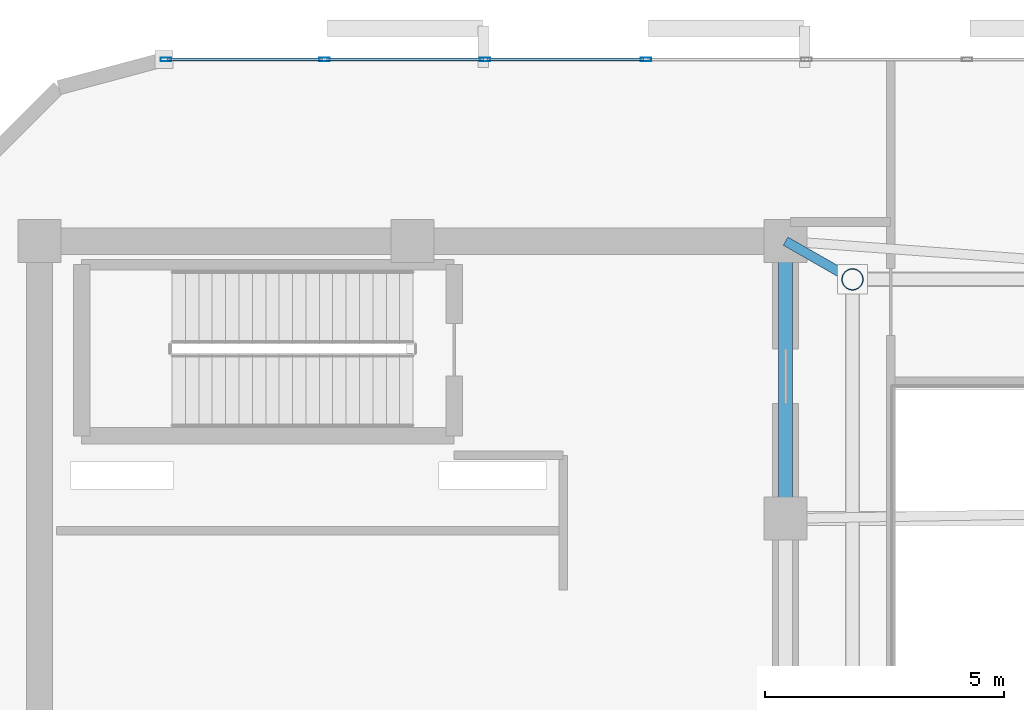
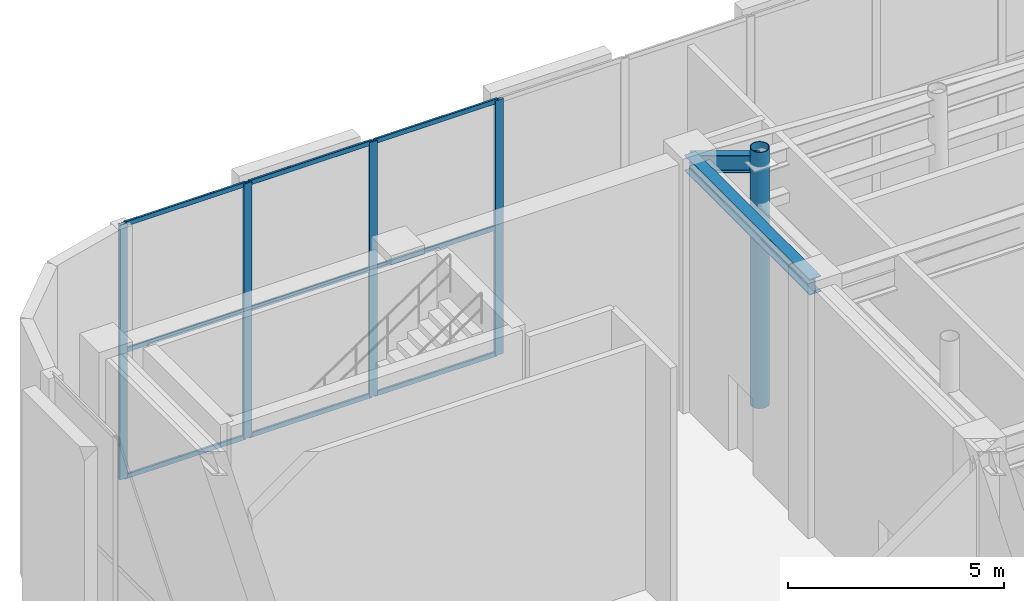
# One storey, part 8 of 20: 14 members, 2 beams, 1 element without a shape of its own.
"""IFC4 building model written with IfcOpenShell, lengths in metres."""

import ifcopenshell
import ifcopenshell.guid

model = None  # the IFC model being written
_history = None  # IfcOwnerHistory: only IFC2X3 demands one
_inside = {}  # id of a spatial element -> (the spatial element, [elements in it])
_under = {}  # id of a project, library or spatial element -> (it, [spatial elements below it])
_declared = {}  # id of a project -> (the project, [libraries it declares])
_typed = {}  # id of a type object -> (the type object, [elements of that type])
_made_of = {}  # id of a material, layer set ... -> (it, [elements and type objects made of it])


def new_model(schema):
    """Start an empty IFC model of exactly this schema.

    Asked for "IFC4X3", IfcOpenShell would pick the latest addendum, in which some entities
    have other attributes; the version numbers below select the first issue.
    IFC2X3 requires an IfcOwnerHistory on every rooted entity: one is made here for all.
    """
    global model, _history
    if schema == "IFC4X3":
        model = ifcopenshell.file(schema_version=(4, 3, 0, 0))
    else:
        model = ifcopenshell.file(schema=schema)
    _inside.clear()
    _under.clear()
    _declared.clear()
    _typed.clear()
    _made_of.clear()
    _history = None
    if model.schema == "IFC2X3":
        org = make("IfcOrganization", Name="unknown")
        user = make(
            "IfcPersonAndOrganization",
            ThePerson=make("IfcPerson", FamilyName="unknown"),
            TheOrganization=org,
        )
        app = make(
            "IfcApplication",
            ApplicationDeveloper=org,
            Version="unknown",
            ApplicationFullName="unknown",
            ApplicationIdentifier="unknown",
        )
        _history = make(
            "IfcOwnerHistory",
            OwningUser=user,
            OwningApplication=app,
            ChangeAction="ADDED",
            CreationDate=0,
        )
    return model


def make(cls, **values):
    """One entity of the class cls with the attributes given. An attribute that is None is left unset."""
    return model.create_entity(
        cls, **{name: value for name, value in values.items() if value is not None}
    )


def rooted(cls, **values):
    """An entity with a GlobalId (a new one), such as an element, a storey or a relation."""
    return make(cls, GlobalId=ifcopenshell.guid.new(), OwnerHistory=_history, **values)


def si_unit(unit_type, name, prefix=None):
    """IfcSIUnit, for example si_unit("LENGTHUNIT", "METRE", prefix="MILLI")."""
    return make("IfcSIUnit", UnitType=unit_type, Prefix=prefix, Name=name)


def assignment(units):
    """IfcUnitAssignment: the units of a project."""
    return None if units is None else make("IfcUnitAssignment", Units=units)


def point(xyz):
    """IfcCartesianPoint."""
    return None if xyz is None else make("IfcCartesianPoint", Coordinates=xyz)


def direction(xyz):
    """IfcDirection."""
    return None if xyz is None else make("IfcDirection", DirectionRatios=xyz)


def frame(location, z_axis=None, x_axis=None):
    """IfcAxis2Placement3D, a coordinate frame: its origin and axes. An axis left out is left unset."""
    return make(
        "IfcAxis2Placement3D",
        Location=point(location),
        Axis=direction(z_axis),
        RefDirection=direction(x_axis),
    )


def frame_2d(location, x_axis=None):
    """IfcAxis2Placement2D, a coordinate frame in the plane: its origin and x axis."""
    return make(
        "IfcAxis2Placement2D", Location=point(location), RefDirection=direction(x_axis)
    )


def origin():
    """The frame at (0, 0, 0) with its axes left unset."""
    return frame((0.0, 0.0, 0.0))


def origin_2d():
    """The frame at (0, 0) in the plane with its x axis left unset."""
    return frame_2d((0.0, 0.0))


def place(relative_to, where):
    """IfcLocalPlacement: puts the frame where relative to a parent placement (None: the world)."""
    return make(
        "IfcLocalPlacement", PlacementRelTo=relative_to, RelativePlacement=where
    )


def context(
    kind, dimensions, precision=None, world=None, true_north=None, identifier=None
):
    """IfcGeometricRepresentationContext, for example the 3D "Model" context."""
    return make(
        "IfcGeometricRepresentationContext",
        ContextIdentifier=identifier,
        ContextType=kind,
        CoordinateSpaceDimension=dimensions,
        Precision=precision,
        WorldCoordinateSystem=world,
        TrueNorth=true_north,
    )


def subcontext(parent, identifier, kind, view, scale=None):
    """IfcGeometricRepresentationSubContext, for example "Body" below "Model"."""
    return make(
        "IfcGeometricRepresentationSubContext",
        ContextIdentifier=identifier,
        ContextType=kind,
        ParentContext=parent,
        TargetScale=scale,
        TargetView=view,
    )


def project(units=None, contexts=None):
    """IfcProject with its units and contexts."""
    return rooted(
        "IfcProject",
        Name="project",
        RepresentationContexts=contexts,
        UnitsInContext=assignment(units),
    )


def spatial(cls, under=None, at=None, **own):
    """A site, building, storey or space (cls), placed at a placement, below another one or the project."""
    s = rooted(cls, ObjectPlacement=at, **own)
    if under is not None:
        _under.setdefault(under.id(), (under, []))[1].append(s)
    return s


def profile(cls, at=None, kind="AREA", **sizes):
    """A parametric profile (cls). Its sizes go by their IFC names, for example OverallWidth=200.0."""
    return make(cls, ProfileType=kind, Position=at, **sizes)


def hollow_rectangle(**sizes):
    """IfcRectangleHollowProfileDef."""
    return profile("IfcRectangleHollowProfileDef", **sizes)


def hollow_circle(**sizes):
    """IfcCircleHollowProfileDef."""
    return profile("IfcCircleHollowProfileDef", **sizes)


def i_section(**sizes):
    """IfcIShapeProfileDef."""
    return profile("IfcIShapeProfileDef", **sizes)


def extrude(swept, where, along, depth):
    """IfcExtrudedAreaSolid: the profile swept, set in the frame where, extruded along a direction by depth."""
    return make(
        "IfcExtrudedAreaSolid",
        SweptArea=swept,
        Position=where,
        ExtrudedDirection=direction(along),
        Depth=depth,
    )


def shape(context_of_items, identifier, shape_type, items):
    """IfcShapeRepresentation: the items that make up one representation, for example the "Body"."""
    return make(
        "IfcShapeRepresentation",
        ContextOfItems=context_of_items,
        RepresentationIdentifier=identifier,
        RepresentationType=shape_type,
        Items=items,
    )


def material(Name=None, Category=None):
    """IfcMaterial."""
    return make("IfcMaterial", Name=Name, Category=Category)


def layer(
    of_material, thickness, ventilated=None, Name=None, Category=None, Priority=None
):
    """IfcMaterialLayer: one layer of a wall or slab, of a material (None: an air gap)."""
    return make(
        "IfcMaterialLayer",
        Material=of_material,
        LayerThickness=thickness,
        IsVentilated=ventilated,
        Name=Name,
        Category=Category,
        Priority=Priority,
    )


def layer_set(layers, Name=None):
    """IfcMaterialLayerSet."""
    return make("IfcMaterialLayerSet", MaterialLayers=layers, LayerSetName=Name)


def material_profile(
    of_material, cross_section, Name=None, Category=None, Priority=None
):
    """IfcMaterialProfile: a cross section and its material."""
    return make(
        "IfcMaterialProfile",
        Name=Name,
        Material=of_material,
        Profile=cross_section,
        Priority=Priority,
        Category=Category,
    )


def profile_set(profiles, Name=None, composite=None):
    """IfcMaterialProfileSet."""
    return make(
        "IfcMaterialProfileSet",
        Name=Name,
        MaterialProfiles=profiles,
        CompositeProfile=composite,
    )


def made_of(thing, what):
    """Note that an element or type object is made of a material, layer set ...; save() writes the relation."""
    if what is not None:
        _made_of.setdefault(what.id(), (what, []))[1].append(thing)
    return thing


def type_object(cls, material=None, **own):
    """A type object (cls), such as IfcWallType, which elements share."""
    return made_of(rooted(cls, **own), material)


def element(
    cls,
    number,
    at=None,
    inside=None,
    cuts=None,
    type_object=None,
    material=None,
    context=None,
    identifier="Body",
    shape_type=None,
    held_by="IfcProductDefinitionShape",
    body=None,
    shapes=None,
    **own,
):
    """One element of the class cls, such as IfcWall. Its Tag is "e" and its number.

    at: its placement. inside: the storey or other place that contains it. cuts: it is an
    opening in that element (IfcRelVoidsElement). A single representation is given by context,
    identifier, shape_type and body (its items); several are given by shapes. held_by: the class
    of the entity that holds the representations. save() writes the other relations.
    """
    e = rooted(cls, Tag="e%d" % number, ObjectPlacement=at, **own)
    if body is not None:
        shapes = [shape(context, identifier, shape_type, body)]
    if shapes is not None:
        e.Representation = make(held_by, Representations=shapes)
    if inside is not None:
        _inside.setdefault(inside.id(), (inside, []))[1].append(e)
    if cuts is not None:
        rooted(
            "IfcRelVoidsElement", RelatingBuildingElement=cuts, RelatedOpeningElement=e
        )
    if type_object is not None:
        _typed.setdefault(type_object.id(), (type_object, []))[1].append(e)
    return made_of(e, material)


def aggregate(whole, parts):
    """IfcRelAggregates: a whole, such as a stair, and the parts it consists of."""
    return rooted("IfcRelAggregates", RelatingObject=whole, RelatedObjects=parts)


def save(model, path):
    """Write the relations noted so far, then the file.

    IfcRelAggregates (storeys below a building ...), IfcRelContainedInSpatialStructure (elements
    in a storey), IfcRelDefinesByType, IfcRelAssociatesMaterial and IfcRelDeclares: one each for
    every whole, place, type object, material and project.
    """
    for whole, parts in _under.values():
        aggregate(whole, parts)
    for where, things in _inside.values():
        rooted(
            "IfcRelContainedInSpatialStructure",
            RelatedElements=things,
            RelatingStructure=where,
        )
    for kind, things in _typed.values():
        rooted("IfcRelDefinesByType", RelatedObjects=things, RelatingType=kind)
    for what, things in _made_of.values():
        rooted("IfcRelAssociatesMaterial", RelatedObjects=things, RelatingMaterial=what)
    for by, libraries in _declared.values():
        rooted("IfcRelDeclares", RelatingContext=by, RelatedDefinitions=libraries)
    model.write(path)


model = new_model("IFC4")

# Units and contexts
model_context = context("Model", 3, precision=1e-05, world=origin(), true_north=direction((0.0, 1.0)))
body_context = subcontext(model_context, "Body", "Model", "MODEL_VIEW")
ifc_project = project(units=[si_unit("LENGTHUNIT", "METRE"), si_unit("AREAUNIT", "SQUARE_METRE"), si_unit("VOLUMEUNIT", "CUBIC_METRE"), si_unit("PLANEANGLEUNIT", "RADIAN"), si_unit("MASSUNIT", "GRAM", prefix="KILO")], contexts=[model_context])

# Site, building, storey
site_placement = place(None, origin())
site = spatial("IfcSite", under=ifc_project, at=site_placement, CompositionType="ELEMENT")
building_placement = place(site_placement, origin())
building = spatial("IfcBuilding", under=site, at=building_placement, Name="An Khanh Terracotta Commons", CompositionType="ELEMENT")
storey_placement = place(building_placement, frame((0.0, 0.0, 308.0)))
storey = spatial("IfcBuildingStorey", under=building, at=storey_placement, Name="L79 Crown Damper Gallery", CompositionType="ELEMENT", Elevation=308.0)

# Beams
ifc_material_1 = material(Name="Steel S355J2", Category="steel")
ifc_material_profile_1 = material_profile(ifc_material_1, i_section(OverallWidth=0.300048828125, OverallDepth=0.449951171875, WebThickness=0.013916015625, FlangeThickness=0.02587890625, FilletRadius=0.027099609375, at=origin_2d()), Name="HEB450")
ifc_profile_set_1 = profile_set([ifc_material_profile_1], Name="Steel S355J2")
beam_type_1 = type_object("IfcBeamType", Name="BM-HEB450", PredefinedType="BEAM", material=ifc_profile_set_1)
beam_1_placement = place(storey_placement, frame((37.199951171875, 27.800048828125, 6.72509765625), z_axis=(0.0, 1.0, 0.0), x_axis=(-1.0, 0.0, 0.0)))
element("IfcBeam", 1, at=beam_1_placement, inside=storey, type_object=beam_type_1, Name="L79 Crown Damper Gallery Core East Coupling Girder 3", PredefinedType="BEAM", context=body_context, shape_type="SweptSolid", body=[
    extrude(i_section(OverallWidth=0.300048828125, OverallDepth=0.449951171875, WebThickness=0.013916015625, FlangeThickness=0.02587890625, FilletRadius=0.027099609375, at=origin_2d()), origin(), (0.0, 0.0, 1.0), 5.800048828125),
])
ifc_material_profile_2 = material_profile(ifc_material_1, i_section(OverallWidth=0.199951171875, OverallDepth=0.5, WebThickness=0.01025390625, FlangeThickness=0.01611328125, FilletRadius=0.02099609375, at=origin_2d()), Name="IPE500")
ifc_profile_set_2 = profile_set([ifc_material_profile_2], Name="Steel S355J2")
beam_type_2 = type_object("IfcBeamType", Name="BM-IPE500", PredefinedType="BEAM", material=ifc_profile_set_2)
beam_2_placement = place(storey_placement, frame((37.199951171875, 33.60009765625, 6.699951171875), z_axis=(0.86825245861, -0.496122634152, 0.0), x_axis=(0.496122634152, 0.86825245861, 0.0)))
element("IfcBeam", 2, at=beam_2_placement, inside=storey, type_object=beam_type_2, Name="L79 Crown Damper Gallery Crown Radial Tie Beam 6", PredefinedType="BEAM", context=body_context, shape_type="SweptSolid", body=[
    extrude(i_section(OverallWidth=0.199951171875, OverallDepth=0.5, WebThickness=0.01025390625, FlangeThickness=0.01611328125, FilletRadius=0.02099609375, at=origin_2d()), origin(), (0.0, 0.0, 1.0), 1.612548828125),
])

# Member
ifc_material_2 = material(Name="Steel S460ML", Category="steel")
ifc_material_profile_3 = material_profile(ifc_material_2, hollow_circle(Radius=0.228515625, WallThickness=0.02001953125, at=origin_2d()), Name="CHS457x20")
ifc_profile_set_3 = profile_set([ifc_material_profile_3], Name="Steel S460ML")
member_type_1 = type_object("IfcMemberType", Name="CROWN FRAME RIB CHS457", PredefinedType="STRUT", material=ifc_profile_set_3)
member_1_placement = place(storey_placement, frame((38.60009765625, 32.800048828125, -0.1201171875), z_axis=(0.0, 0.0, 1.0), x_axis=(1.0, 0.0, 0.0)))
element("IfcMember", 3, at=member_1_placement, inside=storey, type_object=member_type_1, Name="L79 Crown Damper Gallery CROWN FRAME Corner Raking Rib 6", PredefinedType="STRUT", context=body_context, shape_type="SweptSolid", body=[
    extrude(hollow_circle(Radius=0.228515625, WallThickness=0.02001953125, at=origin_2d()), origin(), (0.0, 0.0, 1.0), 7.240234375),
])

# Curtain wall, members
ifc_material_3 = material(Name="Anodised Aluminium 6063-T6", Category="aluminium")
ifc_layer = layer(ifc_material_3, 0.25, Name="Anodised Aluminium 6063-T6")
ifc_layer_set = layer_set([ifc_layer], Name="Anodised Aluminium 6063-T6")
curtain_wall_type = type_object("IfcCurtainWallType", Name="CW-SYS-05", PredefinedType="USERDEFINED", material=ifc_layer_set)
curtain_wall_placement = place(storey_placement, origin())
curtain_wall = element("IfcCurtainWall", 4, at=curtain_wall_placement, inside=storey, type_object=curtain_wall_type, Name="L79 Crown Damper Gallery CW-05 Unitised Curtain Wall CW-L79-20", ObjectType="UNITISED CURTAIN WALL", PredefinedType="USERDEFINED")
ifc_material_profile_4 = material_profile(ifc_material_3, hollow_rectangle(XDim=0.080078125, YDim=0.219970703125, WallThickness=0.0048828125, InnerFilletRadius=0.0048828125, OuterFilletRadius=0.010009765625, at=origin_2d()), Name="RHS220x80x5")
ifc_profile_set_4 = profile_set([ifc_material_profile_4], Name="Anodised Aluminium 6063-T6")
member_type_2 = type_object("IfcMemberType", Name="CWM-RHS220x80x5", PredefinedType="MULLION", material=ifc_profile_set_4)
member_2_placement = place(storey_placement, frame((34.2783203125, 37.39990234375, 0.0), z_axis=(0.0, 0.0, 1.0), x_axis=(0.0, -1.0, 0.0)))
member_2 = element("IfcMember", 5, at=member_2_placement, type_object=member_type_2, Name="CW-05 mullion 8", PredefinedType="MULLION", context=body_context, shape_type="SweptSolid", body=[
    extrude(hollow_rectangle(XDim=0.080078125, YDim=0.219970703125, WallThickness=0.0048828125, InnerFilletRadius=0.0048828125, OuterFilletRadius=0.010009765625, at=origin_2d()), origin(), (0.0, 0.0, 1.0), 7.199951171875),
])
member_3_placement = place(storey_placement, frame((30.918701171875, 37.39990234375, 0.0), z_axis=(0.0, 0.0, 1.0), x_axis=(0.0, -1.0, 0.0)))
member_3 = element("IfcMember", 6, at=member_3_placement, type_object=member_type_2, Name="CW-05 mullion 9", PredefinedType="MULLION", context=body_context, shape_type="SweptSolid", body=[
    extrude(hollow_rectangle(XDim=0.080078125, YDim=0.219970703125, WallThickness=0.0048828125, InnerFilletRadius=0.0048828125, OuterFilletRadius=0.010009765625, at=origin_2d()), origin(), (0.0, 0.0, 1.0), 7.199951171875),
])
member_4_placement = place(storey_placement, frame((27.559326171875, 37.39990234375, 0.0), z_axis=(0.0, 0.0, 1.0), x_axis=(0.0, -1.0, 0.0)))
member_4 = element("IfcMember", 7, at=member_4_placement, type_object=member_type_2, Name="CW-05 mullion 10", PredefinedType="MULLION", context=body_context, shape_type="SweptSolid", body=[
    extrude(hollow_rectangle(XDim=0.080078125, YDim=0.219970703125, WallThickness=0.0048828125, InnerFilletRadius=0.0048828125, OuterFilletRadius=0.010009765625, at=origin_2d()), origin(), (0.0, 0.0, 1.0), 7.199951171875),
])
member_5_placement = place(storey_placement, frame((24.239990234375, 37.39990234375, 0.0), z_axis=(0.0, 0.0, 1.0), x_axis=(0.0, -1.0, 0.0)))
member_5 = element("IfcMember", 8, at=member_5_placement, type_object=member_type_2, Name="CW-05 mullion 11", PredefinedType="MULLION", context=body_context, shape_type="SweptSolid", body=[
    extrude(hollow_rectangle(XDim=0.080078125, YDim=0.219970703125, WallThickness=0.0048828125, InnerFilletRadius=0.0048828125, OuterFilletRadius=0.010009765625, at=origin_2d()), origin(), (0.0, 0.0, 1.0), 7.199951171875),
])
ifc_material_profile_5 = material_profile(ifc_material_3, hollow_rectangle(XDim=0.06005859375, YDim=0.135009765625, WallThickness=0.003662109375, InnerFilletRadius=0.003662109375, OuterFilletRadius=0.007080078125, at=origin_2d()), Name="RHS135x60x3.6")
ifc_profile_set_5 = profile_set([ifc_material_profile_5], Name="Anodised Aluminium 6063-T6")
member_type_3 = type_object("IfcMemberType", Name="CWT-RHS135x60x3.6", PredefinedType="USERDEFINED", material=ifc_profile_set_5)
member_6_placement = place(storey_placement, frame((34.23828125, 37.39990234375, 0.030029296875), z_axis=(-1.0, 0.0, 0.0), x_axis=(0.0, -1.0, 0.0)))
member_6 = element("IfcMember", 9, at=member_6_placement, type_object=member_type_3, Name="CW-05 transom 8.1", ObjectType="TRANSOM", PredefinedType="USERDEFINED", context=body_context, shape_type="SweptSolid", body=[
    extrude(hollow_rectangle(XDim=0.06005859375, YDim=0.135009765625, WallThickness=0.003662109375, InnerFilletRadius=0.003662109375, OuterFilletRadius=0.007080078125, at=origin_2d()), origin(), (0.0, 0.0, 1.0), 3.279541015625),
])
member_7_placement = place(storey_placement, frame((34.23828125, 37.39990234375, 3.60009765625), z_axis=(-1.0, 0.0, 0.0), x_axis=(0.0, -1.0, 0.0)))
member_7 = element("IfcMember", 10, at=member_7_placement, type_object=member_type_3, Name="CW-05 transom 8.2", ObjectType="TRANSOM", PredefinedType="USERDEFINED", context=body_context, shape_type="SweptSolid", body=[
    extrude(hollow_rectangle(XDim=0.06005859375, YDim=0.135009765625, WallThickness=0.003662109375, InnerFilletRadius=0.003662109375, OuterFilletRadius=0.007080078125, at=origin_2d()), origin(), (0.0, 0.0, 1.0), 3.279541015625),
])
member_8_placement = place(storey_placement, frame((34.23828125, 37.39990234375, 7.169921875), z_axis=(-1.0, 0.0, 0.0), x_axis=(0.0, -1.0, 0.0)))
member_8 = element("IfcMember", 11, at=member_8_placement, type_object=member_type_3, Name="CW-05 transom 8.3", ObjectType="TRANSOM", PredefinedType="USERDEFINED", context=body_context, shape_type="SweptSolid", body=[
    extrude(hollow_rectangle(XDim=0.06005859375, YDim=0.135009765625, WallThickness=0.003662109375, InnerFilletRadius=0.003662109375, OuterFilletRadius=0.007080078125, at=origin_2d()), origin(), (0.0, 0.0, 1.0), 3.279541015625),
])
member_9_placement = place(storey_placement, frame((30.87890625, 37.39990234375, 0.030029296875), z_axis=(-1.0, 0.0, 0.0), x_axis=(0.0, -1.0, 0.0)))
member_9 = element("IfcMember", 12, at=member_9_placement, type_object=member_type_3, Name="CW-05 transom 9.1", ObjectType="TRANSOM", PredefinedType="USERDEFINED", context=body_context, shape_type="SweptSolid", body=[
    extrude(hollow_rectangle(XDim=0.06005859375, YDim=0.135009765625, WallThickness=0.003662109375, InnerFilletRadius=0.003662109375, OuterFilletRadius=0.007080078125, at=origin_2d()), origin(), (0.0, 0.0, 1.0), 3.279541015625),
])
member_10_placement = place(storey_placement, frame((30.87890625, 37.39990234375, 3.60009765625), z_axis=(-1.0, 0.0, 0.0), x_axis=(0.0, -1.0, 0.0)))
member_10 = element("IfcMember", 13, at=member_10_placement, type_object=member_type_3, Name="CW-05 transom 9.2", ObjectType="TRANSOM", PredefinedType="USERDEFINED", context=body_context, shape_type="SweptSolid", body=[
    extrude(hollow_rectangle(XDim=0.06005859375, YDim=0.135009765625, WallThickness=0.003662109375, InnerFilletRadius=0.003662109375, OuterFilletRadius=0.007080078125, at=origin_2d()), origin(), (0.0, 0.0, 1.0), 3.279541015625),
])
member_11_placement = place(storey_placement, frame((30.87890625, 37.39990234375, 7.169921875), z_axis=(-1.0, 0.0, 0.0), x_axis=(0.0, -1.0, 0.0)))
member_11 = element("IfcMember", 14, at=member_11_placement, type_object=member_type_3, Name="CW-05 transom 9.3", ObjectType="TRANSOM", PredefinedType="USERDEFINED", context=body_context, shape_type="SweptSolid", body=[
    extrude(hollow_rectangle(XDim=0.06005859375, YDim=0.135009765625, WallThickness=0.003662109375, InnerFilletRadius=0.003662109375, OuterFilletRadius=0.007080078125, at=origin_2d()), origin(), (0.0, 0.0, 1.0), 3.279541015625),
])
member_12_placement = place(storey_placement, frame((27.519287109375, 37.39990234375, 0.030029296875), z_axis=(-1.0, 0.0, 0.0), x_axis=(0.0, -1.0, 0.0)))
member_12 = element("IfcMember", 15, at=member_12_placement, type_object=member_type_3, Name="CW-05 transom 10.1", ObjectType="TRANSOM", PredefinedType="USERDEFINED", context=body_context, shape_type="SweptSolid", body=[
    extrude(hollow_rectangle(XDim=0.06005859375, YDim=0.135009765625, WallThickness=0.003662109375, InnerFilletRadius=0.003662109375, OuterFilletRadius=0.007080078125, at=origin_2d()), origin(), (0.0, 0.0, 1.0), 3.2392578125),
])
member_13_placement = place(storey_placement, frame((27.519287109375, 37.39990234375, 3.60009765625), z_axis=(-1.0, 0.0, 0.0), x_axis=(0.0, -1.0, 0.0)))
member_13 = element("IfcMember", 16, at=member_13_placement, type_object=member_type_3, Name="CW-05 transom 10.2", ObjectType="TRANSOM", PredefinedType="USERDEFINED", context=body_context, shape_type="SweptSolid", body=[
    extrude(hollow_rectangle(XDim=0.06005859375, YDim=0.135009765625, WallThickness=0.003662109375, InnerFilletRadius=0.003662109375, OuterFilletRadius=0.007080078125, at=origin_2d()), origin(), (0.0, 0.0, 1.0), 3.2392578125),
])
member_14_placement = place(storey_placement, frame((27.519287109375, 37.39990234375, 7.169921875), z_axis=(-1.0, 0.0, 0.0), x_axis=(0.0, -1.0, 0.0)))
member_14 = element("IfcMember", 17, at=member_14_placement, type_object=member_type_3, Name="CW-05 transom 10.3", ObjectType="TRANSOM", PredefinedType="USERDEFINED", context=body_context, shape_type="SweptSolid", body=[
    extrude(hollow_rectangle(XDim=0.06005859375, YDim=0.135009765625, WallThickness=0.003662109375, InnerFilletRadius=0.003662109375, OuterFilletRadius=0.007080078125, at=origin_2d()), origin(), (0.0, 0.0, 1.0), 3.2392578125),
])
aggregate(curtain_wall, [member_2, member_3, member_4, member_5, member_6, member_7, member_8, member_9, member_10, member_11, member_12, member_13, member_14])

save(model, "model.ifc")
